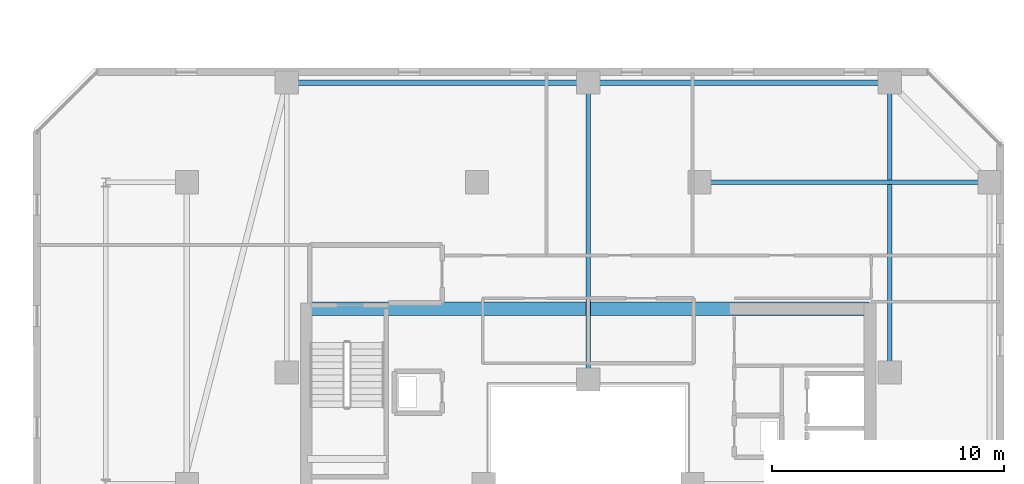
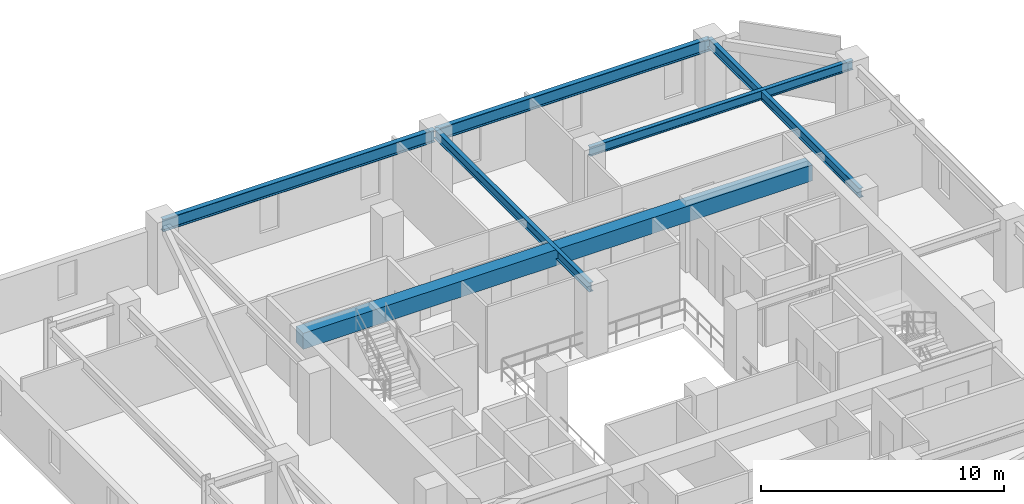
# One storey, part 16 of 33: 6 beams.
"""IFC4 building model written with IfcOpenShell, lengths in metres."""

from ifc_helpers import new_model, si_unit, direction, frame, origin, origin_2d, place, context, subcontext, project, spatial, rectangle, i_section, extrude, material, material_profile, profile_set, type_object, element, save


model = new_model("IFC4")

# Units and contexts
model_context = context("Model", 3, precision=1e-05, world=origin(), true_north=direction((0.0, 1.0)))
body_context = subcontext(model_context, "Body", "Model", "MODEL_VIEW")
ifc_project = project(units=[si_unit("LENGTHUNIT", "METRE"), si_unit("AREAUNIT", "SQUARE_METRE"), si_unit("VOLUMEUNIT", "CUBIC_METRE"), si_unit("PLANEANGLEUNIT", "RADIAN"), si_unit("MASSUNIT", "GRAM", prefix="KILO")], contexts=[model_context])

# Site, building, storey
site_placement = place(None, origin())
site = spatial("IfcSite", under=ifc_project, at=site_placement, CompositionType="ELEMENT")
building_placement = place(site_placement, origin())
building = spatial("IfcBuilding", under=site, at=building_placement, Name="Thornwick Lancets Civic Towers", CompositionType="ELEMENT")
storey_placement = place(building_placement, frame((0.0, 0.0, 214.5)))
storey = spatial("IfcBuildingStorey", under=building, at=storey_placement, Name="L57", CompositionType="ELEMENT", Elevation=214.5)

# Beams
ifc_material_1 = material(Name="Concrete C60/75", Category="concrete")
ifc_material_profile_1 = material_profile(ifc_material_1, rectangle(XDim=0.60009765625, YDim=0.800048828125, at=origin_2d()), Name="RC 600x800")
ifc_profile_set_1 = profile_set([ifc_material_profile_1], Name="Concrete C60/75")
beam_type_1 = type_object("IfcBeamType", Name="BM_COUP_RC800", PredefinedType="BEAM", material=ifc_profile_set_1)
beam_1_placement = place(storey_placement, frame((76.39990234375, 34.550048828125, 2.9599609375), z_axis=(1.0, 0.0, 0.0), x_axis=(0.0, 1.0, 0.0)))
element("IfcBeam", 1, at=beam_1_placement, inside=storey, type_object=beam_type_1, Name="CB-L57-B1", PredefinedType="BEAM", context=body_context, shape_type="SweptSolid", body=[
    extrude(rectangle(XDim=0.60009765625, YDim=0.800048828125, at=origin_2d()), origin(), (0.0, 0.0, 1.0), 24.2001953125),
])
ifc_material_2 = material(Name="Steel S355JR", Category="steel")
ifc_material_profile_2 = material_profile(ifc_material_2, i_section(OverallWidth=0.230224609375, OverallDepth=0.6171875, WebThickness=0.01318359375, FlangeThickness=0.022216796875, FilletRadius=0.0126953125, at=origin_2d()), Name="UKB 610x229x140")
ifc_profile_set_2 = profile_set([ifc_material_profile_2], Name="Steel S355JR")
beam_type_2 = type_object("IfcBeamType", Name="BM_GIRD_610_140", PredefinedType="BEAM", material=ifc_profile_set_2)
beam_2_placement = place(storey_placement, frame((101.5, 44.300048828125, 3.051513671875), z_axis=(-1.0, 0.0, 0.0), x_axis=(0.0, -1.0, 0.0)))
element("IfcBeam", 2, at=beam_2_placement, inside=storey, type_object=beam_type_2, Name="BM-SPINE-L57-B-3-4", PredefinedType="BEAM", context=body_context, shape_type="SweptSolid", body=[
    extrude(i_section(OverallWidth=0.230224609375, OverallDepth=0.6171875, WebThickness=0.01318359375, FlangeThickness=0.022216796875, FilletRadius=0.0126953125, at=origin_2d()), origin(), (0.0, 0.0, 1.0), 13.0),
])
beam_3_placement = place(storey_placement, frame((88.419921875, 44.300048828125, 3.051513671875), z_axis=(-1.0, 0.0, 0.0), x_axis=(0.0, -1.0, 0.0)))
element("IfcBeam", 3, at=beam_3_placement, inside=storey, type_object=beam_type_2, Name="BM-SPINE-L57-B-4-5", PredefinedType="BEAM", context=body_context, shape_type="SweptSolid", body=[
    extrude(i_section(OverallWidth=0.230224609375, OverallDepth=0.6171875, WebThickness=0.01318359375, FlangeThickness=0.022216796875, FilletRadius=0.0126953125, at=origin_2d()), origin(), (0.0, 0.0, 1.0), 12.919921875),
])
ifc_material_profile_3 = material_profile(ifc_material_2, i_section(OverallWidth=0.19287109375, OverallDepth=0.46728515625, WebThickness=0.011474609375, FlangeThickness=0.01953125, FilletRadius=0.01025390625, at=origin_2d()), Name="UKB 457x191x98")
ifc_profile_set_3 = profile_set([ifc_material_profile_3], Name="Steel S355JR")
beam_type_3 = type_object("IfcBeamType", Name="BM_JOIST_457_98", PredefinedType="JOIST", material=ifc_profile_set_3)
for number, where, z_axis, x_axis, name in (
    (4, (93.300048828125, 40.0, 3.12646484375), (1.0, 0.0, 0.0), (0.0, 1.0, 0.0), "BM-RADIN-L57-B03"),
    (5, (101.5, 31.800048828125, 3.12646484375), (0.0, 1.0, 0.0), (-1.0, 0.0, 0.0), "BM-RADIN-L57-B04"),
):
    element("IfcBeam", number, at=place(storey_placement, frame(where, z_axis=z_axis, x_axis=x_axis)), inside=storey, type_object=beam_type_3, Name=name, PredefinedType="JOIST", context=body_context, shape_type="SweptSolid", body=[
        extrude(i_section(OverallWidth=0.19287109375, OverallDepth=0.46728515625, WebThickness=0.011474609375, FlangeThickness=0.01953125, FilletRadius=0.01025390625, at=origin_2d()), origin(), (0.0, 0.0, 1.0), 12.5),
    ])
beam_4_placement = place(storey_placement, frame((88.5, 31.5, 3.12646484375), z_axis=(0.0, 1.0, 0.0), x_axis=(-1.0, 0.0, 0.0)))
element("IfcBeam", 6, at=beam_4_placement, inside=storey, type_object=beam_type_3, Name="BM-RADIN-L57-B05", PredefinedType="JOIST", context=body_context, shape_type="SweptSolid", body=[
    extrude(i_section(OverallWidth=0.19287109375, OverallDepth=0.46728515625, WebThickness=0.011474609375, FlangeThickness=0.01953125, FilletRadius=0.01025390625, at=origin_2d()), origin(), (0.0, 0.0, 1.0), 12.800048828125),
])

save(model, "model.ifc")
